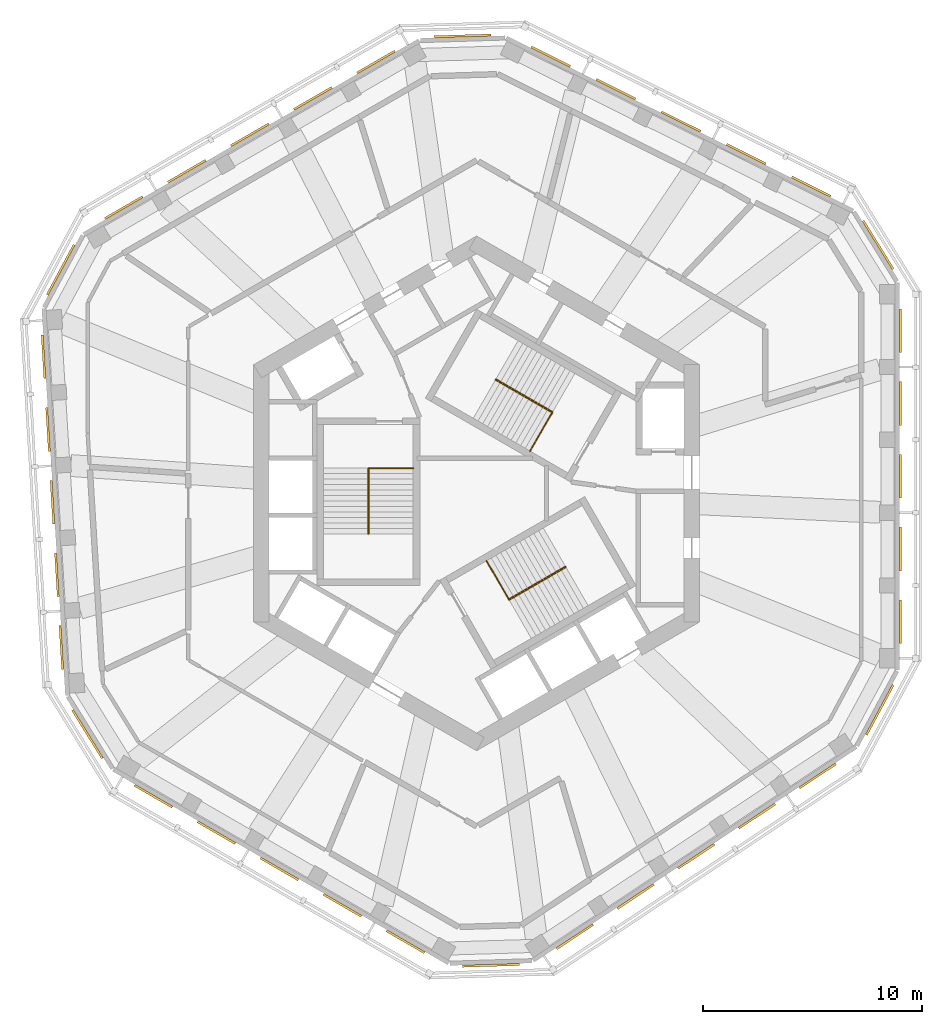
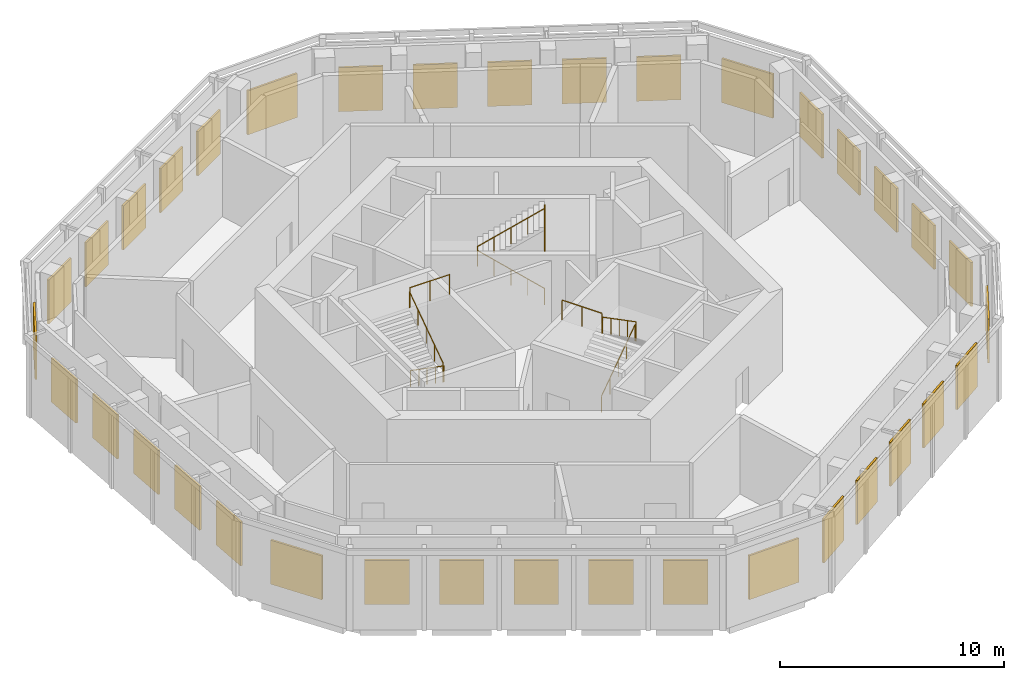
# One storey, part 9 of 9: 36 shading devices, 6 railings.
"""IFC4 building model written with IfcOpenShell, lengths in metres."""

from ifc_helpers import new_model, si_unit, direction, frame, origin, origin_2d, place, context, subcontext, project, spatial, rectangle, circle, extrude, material, layer, layer_set, type_object, element, save


model = new_model("IFC4")

# Units and contexts
model_context = context("Model", 3, precision=1e-05, world=origin(), true_north=direction((0.0, 1.0)))
body_context = subcontext(model_context, "Body", "Model", "MODEL_VIEW")
ifc_project = project(units=[si_unit("LENGTHUNIT", "METRE"), si_unit("AREAUNIT", "SQUARE_METRE"), si_unit("VOLUMEUNIT", "CUBIC_METRE"), si_unit("PLANEANGLEUNIT", "RADIAN"), si_unit("MASSUNIT", "GRAM", prefix="KILO")], contexts=[model_context])

# Site, building, storey
site_placement = place(None, origin())
site = spatial("IfcSite", under=ifc_project, at=site_placement, CompositionType="ELEMENT")
building_placement = place(site_placement, origin())
building = spatial("IfcBuilding", under=site, at=building_placement, Name="Vanh Sen Convention Tower", CompositionType="ELEMENT")
storey_placement = place(building_placement, frame((0.0, 0.0, 300.5)))
storey = spatial("IfcBuildingStorey", under=building, at=storey_placement, Name="L74", CompositionType="ELEMENT", Elevation=300.5)

# Shading devices
ifc_material_1 = material(Name="Aluminium fixed louvre", Category="aluminium")
ifc_layer_1 = layer(ifc_material_1, 0.10009765625)
ifc_layer_set_1 = layer_set([ifc_layer_1], Name="Aluminium fixed louvre")
shading_device_type_1 = type_object("IfcShadingDeviceType", Name="Fixed louvre band 2000 x 2400", PredefinedType="USERDEFINED", material=ifc_layer_set_1)
for number, where, z_axis, x_axis, name in (
    (1, (19.39990234375, -5.880859375, 0.900146484375), (0.0, 0.0, 1.0), (0.0, 1.0, 0.0), "Fixed louvre band LV7-E1"),
    (2, (19.39990234375, -2.54931640625, 0.900146484375), (0.0, 0.0, 1.0), (0.0, 1.0, 0.0), "Fixed louvre band LV7-E2"),
    (3, (19.39990234375, 0.782470703125, 0.900146484375), (0.0, 0.0, 1.0), (0.0, 1.0, 0.0), "Fixed louvre band LV7-E3"),
    (4, (19.39990234375, 4.114013671875, 0.900146484375), (0.0, 0.0, 1.0), (0.0, 1.0, 0.0), "Fixed louvre band LV7-E4"),
    (5, (19.39990234375, 7.44580078125, 0.900146484375), (0.0, 0.0, 1.0), (0.0, 1.0, 0.0), "Fixed louvre band LV7-E5"),
    (6, (15.319580078125, 14.03955078125, 0.900146484375), (0.0, 0.0, 1.0), (-0.894934361602, 0.44619781311, 0.0), "Fixed louvre band LV7-NE1"),
    (7, (12.337890625, 15.526123046875, 0.900146484375), (0.0, 0.0, 1.0), (-0.894934361602, 0.44619781311, 0.0), "Fixed louvre band LV7-NE2"),
    (8, (9.3564453125, 17.0126953125, 0.900146484375), (0.0, 0.0, 1.0), (-0.894934361602, 0.44619781311, 0.0), "Fixed louvre band LV7-NE3"),
    (9, (6.375, 18.499267578125, 0.900146484375), (0.0, 0.0, 1.0), (-0.894934361602, 0.44619781311, 0.0), "Fixed louvre band LV7-NE4"),
    (10, (3.393310546875, 19.98583984375, 0.900146484375), (0.0, 0.0, 1.0), (-0.894934361602, 0.44619781311, 0.0), "Fixed louvre band LV7-NE5"),
    (11, (-4.60693359375, 19.741455078125, 0.900146484375), (0.0, 0.0, 1.0), (-0.86602365845, -0.500003022996, 0.0), "Fixed louvre band LV7-NW1"),
    (12, (-7.4921875, 18.075439453125, 0.900146484375), (0.0, 0.0, 1.0), (-0.86602365845, -0.500003022996, 0.0), "Fixed louvre band LV7-NW2"),
    (13, (-10.377685546875, 16.40966796875, 0.900146484375), (0.0, 0.0, 1.0), (-0.86602365845, -0.500003022996, 0.0), "Fixed louvre band LV7-NW3"),
    (14, (-13.2626953125, 14.743896484375, 0.900146484375), (0.0, 0.0, 1.0), (-0.86602365845, -0.500003022996, 0.0), "Fixed louvre band LV7-NW4"),
    (15, (-16.148193359375, 13.077880859375, 0.900146484375), (0.0, 0.0, 1.0), (-0.86602365845, -0.500003022996, 0.0), "Fixed louvre band LV7-NW5"),
    (16, (-19.818359375, 6.247314453125, 0.900146484375), (0.0, 0.0, 1.0), (0.061046797461, -0.99813490497, 0.0), "Fixed louvre band LV7-W1"),
    (17, (-19.614990234375, 2.922119140625, 0.900146484375), (0.0, 0.0, 1.0), (0.061046797461, -0.99813490497, 0.0), "Fixed louvre band LV7-W2"),
    (18, (-19.41162109375, -0.4033203125, 0.900146484375), (0.0, 0.0, 1.0), (0.061046797461, -0.99813490497, 0.0), "Fixed louvre band LV7-W3"),
    (19, (-19.2080078125, -3.728759765625, 0.900146484375), (0.0, 0.0, 1.0), (0.061046797461, -0.99813490497, 0.0), "Fixed louvre band LV7-W4"),
    (20, (-19.0048828125, -7.05419921875, 0.900146484375), (0.0, 0.0, 1.0), (0.061046797461, -0.99813490497, 0.0), "Fixed louvre band LV7-W5"),
    (21, (-14.793212890625, -13.8603515625, 0.900146484375), (0.0, 0.0, 1.0), (0.86602365845, -0.500003022996, 0.0), "Fixed louvre band LV7-SW1"),
    (22, (-11.90771484375, -15.5263671875, 0.900146484375), (0.0, 0.0, 1.0), (0.86602365845, -0.500003022996, 0.0), "Fixed louvre band LV7-SW2"),
    (23, (-9.0224609375, -17.192138671875, 0.900146484375), (0.0, 0.0, 1.0), (0.86602365845, -0.500003022996, 0.0), "Fixed louvre band LV7-SW3"),
    (24, (-6.13720703125, -18.85791015625, 0.900146484375), (0.0, 0.0, 1.0), (0.86602365845, -0.500003022996, 0.0), "Fixed louvre band LV7-SW4"),
    (25, (-3.251953125, -20.523681640625, 0.900146484375), (0.0, 0.0, 1.0), (0.86602365845, -0.500003022996, 0.0), "Fixed louvre band LV7-SW5"),
    (26, (4.498779296875, -20.286865234375, 0.900146484375), (0.0, 0.0, 1.0), (0.833884858754, 0.551938440717, 0.0), "Fixed louvre band LV7-SE1"),
    (27, (7.27685546875, -18.447998046875, 0.900146484375), (0.0, 0.0, 1.0), (0.833884858754, 0.551938440717, 0.0), "Fixed louvre band LV7-SE2"),
    (28, (10.05517578125, -16.609130859375, 0.900146484375), (0.0, 0.0, 1.0), (0.833884858754, 0.551938440717, 0.0), "Fixed louvre band LV7-SE3"),
    (29, (12.83349609375, -14.7705078125, 0.900146484375), (0.0, 0.0, 1.0), (0.833884858754, 0.551938440717, 0.0), "Fixed louvre band LV7-SE4"),
    (30, (15.611572265625, -12.931396484375, 0.900146484375), (0.0, 0.0, 1.0), (0.833884858754, 0.551938440717, 0.0), "Fixed louvre band LV7-SE5"),
):
    element("IfcShadingDevice", number, at=place(storey_placement, frame(where, z_axis=z_axis, x_axis=x_axis)), inside=storey, type_object=shading_device_type_1, Name=name, ObjectType="LOUVRE", PredefinedType="USERDEFINED", context=body_context, shape_type="SweptSolid", body=[
        extrude(rectangle(XDim=2.0, YDim=0.10009765625, at=origin_2d()), origin(), (0.0, 0.0, 1.0), 2.39990234375),
    ])
ifc_layer_2 = layer(ifc_material_1, 0.10009765625)
ifc_layer_set_2 = layer_set([ifc_layer_2], Name="Aluminium fixed louvre")
shading_device_type_2 = type_object("IfcShadingDeviceType", Name="Fixed louvre band 2600 x 2400", PredefinedType="USERDEFINED", material=ifc_layer_set_2)
for number, where, z_axis, x_axis, name in (
    (31, (18.376708984375, 11.371826171875, 0.900146484375), (0.0, 0.0, 1.0), (-0.526215407796, 0.850351306578, 0.0), "Fixed louvre band LV8-CH11"),
    (32, (-0.6396484375, 20.935791015625, 0.900146484375), (0.0, 0.0, 1.0), (-0.999533804011, -0.030531535148, 0.0), "Fixed louvre band LV8-CH21"),
    (33, (-19.03662109375, 10.228759765625, 0.900146484375), (0.0, 0.0, 1.0), (-0.473328891825, -0.880885781565, 0.0), "Fixed louvre band LV8-CH31"),
    (34, (-17.81103515625, -11.021728515625, 0.900146484375), (0.0, 0.0, 1.0), (0.526216891938, -0.850350388157, 0.0), "Fixed louvre band LV8-CH41"),
    (35, (0.659912109375, -21.6005859375, 0.900146484375), (0.0, 0.0, 1.0), (0.999533537535, 0.030540257725, 0.0), "Fixed louvre band LV8-CH51"),
    (36, (18.45068359375, -9.913818359375, 0.900146484375), (0.0, 0.0, 1.0), (0.473307367584, 0.880897346909, 0.0), "Fixed louvre band LV8-CH61"),
):
    element("IfcShadingDevice", number, at=place(storey_placement, frame(where, z_axis=z_axis, x_axis=x_axis)), inside=storey, type_object=shading_device_type_2, Name=name, ObjectType="LOUVRE", PredefinedType="USERDEFINED", context=body_context, shape_type="SweptSolid", body=[
        extrude(rectangle(XDim=2.60009765625, YDim=0.10009765625, at=origin_2d()), origin(), (0.0, 0.0, 1.0), 2.39990234375),
    ])

# Railings
ifc_material_2 = material(Name="Stainless steel handrail", Category="steel")
railing_type_1 = type_object("IfcRailingType", Name="Stair guard 1100", PredefinedType="GUARDRAIL", material=ifc_material_2)
railing_1_placement = place(storey_placement, frame((2.44580078125, 1.9365234375, 4.5)))
element("IfcRailing", 37, at=railing_1_placement, inside=storey, type_object=railing_type_1, Name="Stair guard ST1 L74", PredefinedType="GUARDRAIL", context=body_context, shape_type="SweptSolid", body=[
    extrude(circle(Radius=0.02392578125, at=origin_2d()), frame((0.0, 0.0, 1.076171875), z_axis=(0.500045446624, 0.865999163574, 0.0), x_axis=(-0.865999163574, 0.500045446624, 0.0)), (0.0, 0.0, 1.0), 2.050048828125),
    extrude(circle(Radius=0.02099609375, at=origin_2d()), origin(), (0.0, 0.0, 1.0), 1.052001953125),
    extrude(circle(Radius=0.02099609375, at=origin_2d()), frame((0.5126953125, 0.8876953125, 0.0)), (0.0, 0.0, 1.0), 1.052001953125),
    extrude(circle(Radius=0.02099609375, at=origin_2d()), frame((1.025146484375, 1.775390625, 0.0)), (0.0, 0.0, 1.0), 1.052001953125),
])
railing_2_placement = place(storey_placement, frame((-2.89990234375, 1.14990234375, 4.5)))
element("IfcRailing", 38, at=railing_2_placement, inside=storey, type_object=railing_type_1, Name="Stair guard ST2 L74", PredefinedType="GUARDRAIL", context=body_context, shape_type="SweptSolid", body=[
    extrude(circle(Radius=0.02392578125, at=origin_2d()), frame((0.0, 0.0, 1.076171875), z_axis=(-1.0, 0.0, 0.0), x_axis=(0.0, -1.0, 0.0)), (0.0, 0.0, 1.0), 2.050048828125),
    extrude(circle(Radius=0.02099609375, at=origin_2d()), origin(), (0.0, 0.0, 1.0), 1.052001953125),
    extrude(circle(Radius=0.02099609375, at=origin_2d()), frame((-1.02490234375, 0.0, 0.0)), (0.0, 0.0, 1.0), 1.052001953125),
    extrude(circle(Radius=0.02099609375, at=origin_2d()), frame((-2.050048828125, 0.0, 0.0)), (0.0, 0.0, 1.0), 1.052001953125),
])
railing_3_placement = place(storey_placement, frame((0.4541015625, -3.08642578125, 4.5)))
element("IfcRailing", 39, at=railing_3_placement, inside=storey, type_object=railing_type_1, Name="Stair guard ST3 L74", PredefinedType="GUARDRAIL", context=body_context, shape_type="SweptSolid", body=[
    extrude(circle(Radius=0.02392578125, at=origin_2d()), frame((0.0, 0.0, 1.076171875), z_axis=(0.499956128963, -0.866050731258, 0.0), x_axis=(0.866050731258, 0.499956128963, 0.0)), (0.0, 0.0, 1.0), 2.050048828125),
    extrude(circle(Radius=0.02099609375, at=origin_2d()), origin(), (0.0, 0.0, 1.0), 1.052001953125),
    extrude(circle(Radius=0.02099609375, at=origin_2d()), frame((0.512451171875, -0.8876953125, 0.0)), (0.0, 0.0, 1.0), 1.052001953125),
    extrude(circle(Radius=0.02099609375, at=origin_2d()), frame((1.02490234375, -1.775390625, 0.0)), (0.0, 0.0, 1.0), 1.052001953125),
])
railing_type_2 = type_object("IfcRailingType", Name="Stair handrail 900", PredefinedType="HANDRAIL", material=ifc_material_2)
railing_4_placement = place(storey_placement, frame((3.45849609375, 3.690185546875, 0.173095703125)))
element("IfcRailing", 40, at=railing_4_placement, inside=storey, type_object=railing_type_2, Name="Stair handrail ST1 L74", PredefinedType="HANDRAIL", context=body_context, shape_type="SweptSolid", body=[
    extrude(circle(Radius=0.02392578125, at=origin_2d()), frame((0.0, 0.0, 0.8759765625), z_axis=(-0.712050641542, 0.41109181936, 0.569198910693), x_axis=(-0.499990139034, -0.866031096941, 0.0)), (0.0, 0.0, 1.0), 3.64892578125),
    extrude(circle(Radius=0.02392578125, at=origin_2d()), frame((-2.59814453125, 1.5, 2.95263671875), z_axis=(0.502959906984, 0.86430974307, 0.0), x_axis=(-0.86430974307, 0.502959906984, 0.0)), (0.0, 0.0, 1.0), 0.050048828125),
    extrude(circle(Radius=0.02392578125, at=origin_2d()), frame((-2.572998046875, 1.543212890625, 2.95263671875), z_axis=(0.0, 0.0, 1.0), x_axis=(1.0, 0.0, 0.0)), (0.0, 0.0, 1.0), 0.173095703125),
    extrude(circle(Radius=0.02392578125, at=origin_2d()), frame((-2.572998046875, 1.543212890625, 3.1259765625), z_axis=(0.712017653891, -0.411111405461, 0.569226029664), x_axis=(0.50002537861, 0.866010750942, 0.0)), (0.0, 0.0, 1.0), 3.648681640625),
    extrude(circle(Radius=0.02099609375, at=origin_2d()), origin(), (0.0, 0.0, 1.0), 0.851806640625),
    extrude(circle(Radius=0.02099609375, at=origin_2d()), frame((-0.6494140625, 0.375, 0.519287109375)), (0.0, 0.0, 1.0), 0.851806640625),
    extrude(circle(Radius=0.02099609375, at=origin_2d()), frame((-1.299072265625, 0.75, 1.03857421875)), (0.0, 0.0, 1.0), 0.851806640625),
    extrude(circle(Radius=0.02099609375, at=origin_2d()), frame((-1.94873046875, 1.125, 1.5576171875)), (0.0, 0.0, 1.0), 0.851806640625),
    extrude(circle(Radius=0.02099609375, at=origin_2d()), frame((-2.59814453125, 1.5, 2.076904296875)), (0.0, 0.0, 1.0), 0.851806640625),
    extrude(circle(Radius=0.02099609375, at=origin_2d()), frame((-2.572998046875, 1.543212890625, 2.076904296875)), (0.0, 0.0, 1.0), 0.851806640625),
    extrude(circle(Radius=0.02099609375, at=origin_2d()), frame((-2.572998046875, 1.543212890625, 2.25)), (0.0, 0.0, 1.0), 0.851806640625),
    extrude(circle(Radius=0.02099609375, at=origin_2d()), frame((-1.923583984375, 1.168212890625, 2.769287109375)), (0.0, 0.0, 1.0), 0.851806640625),
    extrude(circle(Radius=0.02099609375, at=origin_2d()), frame((-1.27392578125, 0.793212890625, 3.28857421875)), (0.0, 0.0, 1.0), 0.851806640625),
    extrude(circle(Radius=0.02099609375, at=origin_2d()), frame((-0.62451171875, 0.418212890625, 3.8076171875)), (0.0, 0.0, 1.0), 0.851806640625),
    extrude(circle(Radius=0.02099609375, at=origin_2d()), frame((0.02490234375, 0.043212890625, 4.326904296875)), (0.0, 0.0, 1.0), 0.851806640625),
])
railing_5_placement = place(storey_placement, frame((-4.925048828125, 1.14990234375, 0.173095703125)))
element("IfcRailing", 41, at=railing_5_placement, inside=storey, type_object=railing_type_2, Name="Stair handrail ST2 L74", PredefinedType="HANDRAIL", context=body_context, shape_type="SweptSolid", body=[
    extrude(circle(Radius=0.02392578125, at=origin_2d()), frame((0.0, 0.0, 0.8759765625), z_axis=(0.0, -0.82219460041, 0.569206499486), x_axis=(1.0, 0.0, 0.0)), (0.0, 0.0, 1.0), 3.648681640625),
    extrude(circle(Radius=0.02392578125, at=origin_2d()), frame((0.0, -3.0, 2.95263671875), z_axis=(-1.0, 0.0, 0.0), x_axis=(0.0, -1.0, 0.0)), (0.0, 0.0, 1.0), 0.050048828125),
    extrude(circle(Radius=0.02392578125, at=origin_2d()), frame((-0.050048828125, -3.0, 2.95263671875), z_axis=(0.0, 0.0, 1.0), x_axis=(1.0, 0.0, 0.0)), (0.0, 0.0, 1.0), 0.173095703125),
    extrude(circle(Radius=0.02392578125, at=origin_2d()), frame((-0.050048828125, -3.0, 3.1259765625), z_axis=(0.0, 0.82219460041, 0.569206499486), x_axis=(-1.0, 0.0, 0.0)), (0.0, 0.0, 1.0), 3.648681640625),
    extrude(circle(Radius=0.02099609375, at=origin_2d()), origin(), (0.0, 0.0, 1.0), 0.851806640625),
    extrude(circle(Radius=0.02099609375, at=origin_2d()), frame((0.0, -0.75, 0.519287109375)), (0.0, 0.0, 1.0), 0.851806640625),
    extrude(circle(Radius=0.02099609375, at=origin_2d()), frame((0.0, -1.5, 1.03857421875)), (0.0, 0.0, 1.0), 0.851806640625),
    extrude(circle(Radius=0.02099609375, at=origin_2d()), frame((0.0, -2.25, 1.5576171875)), (0.0, 0.0, 1.0), 0.851806640625),
    extrude(circle(Radius=0.02099609375, at=origin_2d()), frame((0.0, -3.0, 2.076904296875)), (0.0, 0.0, 1.0), 0.851806640625),
    extrude(circle(Radius=0.02099609375, at=origin_2d()), frame((-0.050048828125, -3.0, 2.076904296875)), (0.0, 0.0, 1.0), 0.851806640625),
    extrude(circle(Radius=0.02099609375, at=origin_2d()), frame((-0.050048828125, -3.0, 2.25)), (0.0, 0.0, 1.0), 0.851806640625),
    extrude(circle(Radius=0.02099609375, at=origin_2d()), frame((-0.050048828125, -2.25, 2.769287109375)), (0.0, 0.0, 1.0), 0.851806640625),
    extrude(circle(Radius=0.02099609375, at=origin_2d()), frame((-0.050048828125, -1.5, 3.28857421875)), (0.0, 0.0, 1.0), 0.851806640625),
    extrude(circle(Radius=0.02099609375, at=origin_2d()), frame((-0.050048828125, -0.75, 3.8076171875)), (0.0, 0.0, 1.0), 0.851806640625),
    extrude(circle(Radius=0.02099609375, at=origin_2d()), frame((-0.050048828125, 0.0, 4.326904296875)), (0.0, 0.0, 1.0), 0.851806640625),
])
railing_6_placement = place(storey_placement, frame((1.466552734375, -4.840087890625, 0.173095703125)))
element("IfcRailing", 42, at=railing_6_placement, inside=storey, type_object=railing_type_2, Name="Stair handrail ST3 L74", PredefinedType="HANDRAIL", context=body_context, shape_type="SweptSolid", body=[
    extrude(circle(Radius=0.02392578125, at=origin_2d()), frame((0.0, 0.0, 0.8759765625), z_axis=(0.712050641542, 0.41109181936, 0.569198910693), x_axis=(-0.499990139034, 0.866031096941, 0.0)), (0.0, 0.0, 1.0), 3.64892578125),
    extrude(circle(Radius=0.02392578125, at=origin_2d()), frame((2.59814453125, 1.5, 2.95263671875), z_axis=(0.497188445666, -0.867642581652, 0.0), x_axis=(0.867642581652, 0.497188445666, 0.0)), (0.0, 0.0, 1.0), 0.050048828125),
    extrude(circle(Radius=0.02392578125, at=origin_2d()), frame((2.623046875, 1.45654296875, 2.95263671875), z_axis=(0.0, 0.0, 1.0), x_axis=(1.0, 0.0, 0.0)), (0.0, 0.0, 1.0), 0.173095703125),
    extrude(circle(Radius=0.02392578125, at=origin_2d()), frame((2.623046875, 1.45654296875, 3.1259765625), z_axis=(-0.712017653891, -0.411111405461, 0.569226029664), x_axis=(0.50002537861, -0.866010750942, 0.0)), (0.0, 0.0, 1.0), 3.648681640625),
    extrude(circle(Radius=0.02099609375, at=origin_2d()), origin(), (0.0, 0.0, 1.0), 0.851806640625),
    extrude(circle(Radius=0.02099609375, at=origin_2d()), frame((0.6494140625, 0.375, 0.519287109375)), (0.0, 0.0, 1.0), 0.851806640625),
    extrude(circle(Radius=0.02099609375, at=origin_2d()), frame((1.299072265625, 0.75, 1.03857421875)), (0.0, 0.0, 1.0), 0.851806640625),
    extrude(circle(Radius=0.02099609375, at=origin_2d()), frame((1.94873046875, 1.125, 1.5576171875)), (0.0, 0.0, 1.0), 0.851806640625),
    extrude(circle(Radius=0.02099609375, at=origin_2d()), frame((2.59814453125, 1.5, 2.076904296875)), (0.0, 0.0, 1.0), 0.851806640625),
    extrude(circle(Radius=0.02099609375, at=origin_2d()), frame((2.623046875, 1.45654296875, 2.076904296875)), (0.0, 0.0, 1.0), 0.851806640625),
    extrude(circle(Radius=0.02099609375, at=origin_2d()), frame((2.623046875, 1.45654296875, 2.25)), (0.0, 0.0, 1.0), 0.851806640625),
    extrude(circle(Radius=0.02099609375, at=origin_2d()), frame((1.9736328125, 1.08154296875, 2.769287109375)), (0.0, 0.0, 1.0), 0.851806640625),
    extrude(circle(Radius=0.02099609375, at=origin_2d()), frame((1.32421875, 0.70654296875, 3.28857421875)), (0.0, 0.0, 1.0), 0.851806640625),
    extrude(circle(Radius=0.02099609375, at=origin_2d()), frame((0.674560546875, 0.33154296875, 3.8076171875)), (0.0, 0.0, 1.0), 0.851806640625),
    extrude(circle(Radius=0.02099609375, at=origin_2d()), frame((0.025146484375, -0.04345703125, 4.326904296875)), (0.0, 0.0, 1.0), 0.851806640625),
])

save(model, "model.ifc")
